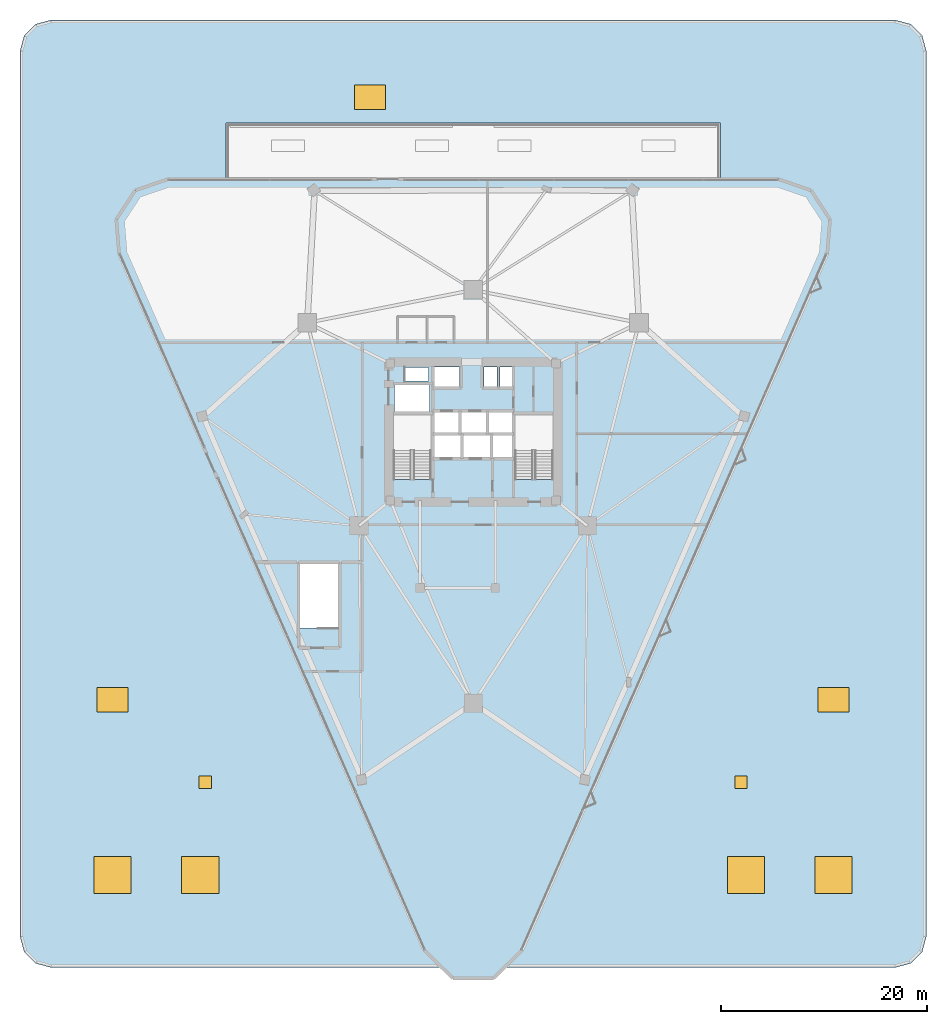
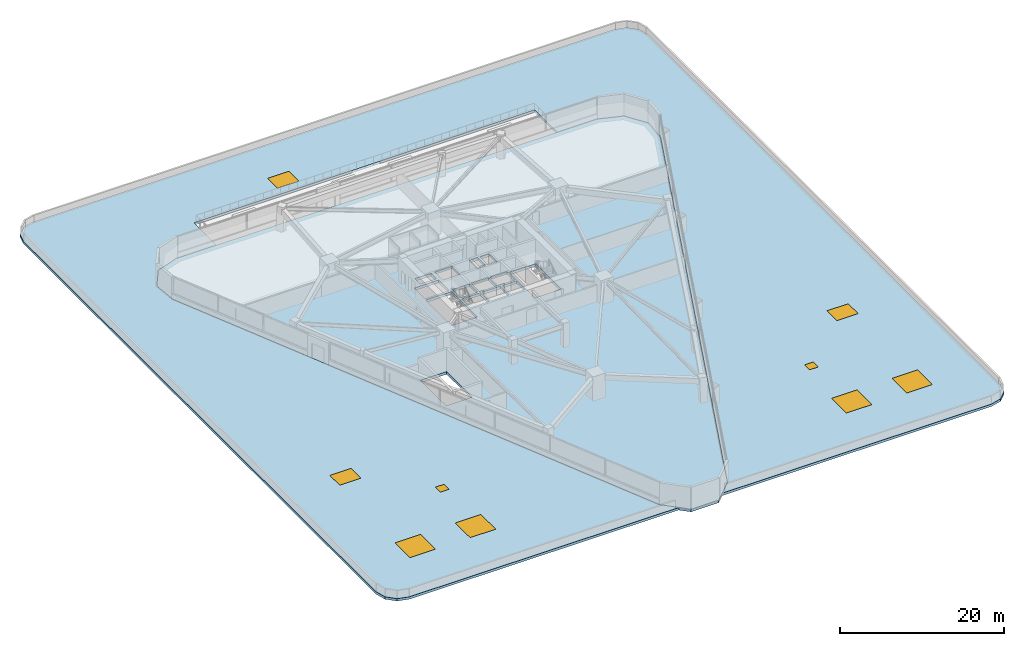
# One storey, part 13 of 21: 9 windows, 2 slabs, 9 openings.
"""IFC4 building model written with IfcOpenShell, lengths in metres."""

from ifc_helpers import new_model, si_unit, direction, frame, origin, origin_2d, place, context, subcontext, project, spatial, polyline, rectangle, outline, extrude, material, layer, layer_set, type_object, element, fill, save


model = new_model("IFC4")

# Units and contexts
model_context = context("Model", 3, precision=1e-05, world=origin(), true_north=direction((0.0, 1.0)))
body_context = subcontext(model_context, "Body", "Model", "MODEL_VIEW")
ifc_project = project(units=[si_unit("LENGTHUNIT", "METRE"), si_unit("AREAUNIT", "SQUARE_METRE"), si_unit("VOLUMEUNIT", "CUBIC_METRE"), si_unit("PLANEANGLEUNIT", "RADIAN"), si_unit("MASSUNIT", "GRAM", prefix="KILO")], contexts=[model_context])

# Site, building, storey
site_placement = place(None, origin())
site = spatial("IfcSite", under=ifc_project, at=site_placement, CompositionType="ELEMENT")
building_placement = place(site_placement, origin())
building = spatial("IfcBuilding", under=site, at=building_placement, Name="Talyreon Biosciences Tower", CompositionType="ELEMENT")
storey_placement = place(building_placement, frame((0.0, 0.0, 22.800048828125)))
storey = spatial("IfcBuildingStorey", under=building, at=storey_placement, Name="L05", CompositionType="ELEMENT", Elevation=22.800048828125)

# Slab, openings, windows
ifc_material_1 = material(Name="Concrete C40/50", Category="concrete")
ifc_layer_1 = layer(ifc_material_1, 0.360107421875)
ifc_layer_set_1 = layer_set([ifc_layer_1], Name="Concrete C40/50")
slab_type_1 = type_object("IfcSlabType", Name="PodiumGardenRoof_360", PredefinedType="ROOF", material=ifc_layer_set_1)
slab_1_placement = place(storey_placement, frame((0.0, 0.0, -0.360107421875)))
slab_1 = element("IfcSlab", 1, at=slab_1_placement, inside=storey, type_object=slab_type_1, Name="L05 Podium Weatherproof Skylight Roof Slab", PredefinedType="ROOF", context=body_context, shape_type="SweptSolid", body=[
    extrude(outline(polyline([(69.027099609375, 16.0), (70.7626953125, 17.689453125), (100.37451171875, 85.267333984375), (100.652099609375, 88.632080078125), (98.804931640625, 91.458251953125), (95.611572265625, 92.55419921875), (90.001953125, 92.55419921875), (90.001953125, 98.0), (90.001953125, 98.000244140625), (90.001953125, 98.00048828125), (90.001953125, 98.00048828125), (90.001708984375, 98.000732421875), (90.001708984375, 98.0009765625), (90.001708984375, 98.001220703125), (90.00146484375, 98.001220703125), (90.00146484375, 98.00146484375), (90.001220703125, 98.00146484375), (90.001220703125, 98.001708984375), (90.0009765625, 98.001708984375), (90.000732421875, 98.001708984375), (90.00048828125, 98.001953125), (90.00048828125, 98.001953125), (90.000244140625, 98.001953125), (90.0, 98.001953125), (42.0, 98.001953125), (41.999755859375, 98.001953125), (41.99951171875, 98.001953125), (41.99951171875, 98.001953125), (41.999267578125, 98.001708984375), (41.9990234375, 98.001708984375), (41.998779296875, 98.001708984375), (41.998779296875, 98.00146484375), (41.99853515625, 98.00146484375), (41.99853515625, 98.001220703125), (41.998291015625, 98.001220703125), (41.998291015625, 98.0009765625), (41.998291015625, 98.000732421875), (41.998046875, 98.00048828125), (41.998046875, 98.00048828125), (41.998046875, 98.000244140625), (41.998046875, 98.0), (41.998046875, 92.55419921875), (36.388427734375, 92.55419921875), (33.195068359375, 91.458251953125), (31.347900390625, 88.632080078125), (31.62548828125, 85.267333984375), (61.2373046875, 17.689453125), (62.972900390625, 16.0), (25.0, 16.0), (23.5, 16.40185546875), (22.40185546875, 17.5), (22.0, 19.0), (22.0, 105.0), (22.40185546875, 106.5), (23.5, 107.59814453125), (25.0, 108.0), (107.0, 108.0), (108.5, 107.59814453125), (109.59814453125, 106.5), (110.0, 105.0), (110.0, 19.0), (109.59814453125, 17.5), (108.5, 16.40185546875), (107.0, 16.0), (69.027099609375, 16.0)])), origin(), (0.0, 0.0, 1.0), 0.360107421875),
])
opening_1_placement = place(slab_1_placement, frame((31.0, 25.0, 0.0)))
opening_1 = element("IfcOpeningElement", 2, at=opening_1_placement, cuts=slab_1, Name="Opening SK1", PredefinedType="OPENING", context=body_context, shape_type="SweptSolid", body=[
    extrude(rectangle(XDim=3.60009765625, YDim=3.60009765625, at=origin_2d()), origin(), (0.0, 0.0, 1.0), 0.360107421875),
])
opening_2_placement = place(slab_1_placement, frame((39.5, 25.0, 0.0)))
opening_2 = element("IfcOpeningElement", 3, at=opening_2_placement, cuts=slab_1, Name="Opening SK1", PredefinedType="OPENING", context=body_context, shape_type="SweptSolid", body=[
    extrude(rectangle(XDim=3.60009765625, YDim=3.60009765625, at=origin_2d()), origin(), (0.0, 0.0, 1.0), 0.360107421875),
])
opening_3_placement = place(slab_1_placement, frame((92.5, 25.0, 0.0)))
opening_3 = element("IfcOpeningElement", 4, at=opening_3_placement, cuts=slab_1, Name="Opening SK1", PredefinedType="OPENING", context=body_context, shape_type="SweptSolid", body=[
    extrude(rectangle(XDim=3.60009765625, YDim=3.60009765625, at=origin_2d()), origin(), (0.0, 0.0, 1.0), 0.360107421875),
])
opening_4_placement = place(slab_1_placement, frame((101.0, 25.0, 0.0)))
opening_4 = element("IfcOpeningElement", 5, at=opening_4_placement, cuts=slab_1, Name="Opening SK1", PredefinedType="OPENING", context=body_context, shape_type="SweptSolid", body=[
    extrude(rectangle(XDim=3.60009765625, YDim=3.60009765625, at=origin_2d()), origin(), (0.0, 0.0, 1.0), 0.360107421875),
])
opening_5_placement = place(slab_1_placement, frame((31.0, 42.0, 0.0)))
opening_5 = element("IfcOpeningElement", 6, at=opening_5_placement, cuts=slab_1, Name="Opening SK2", PredefinedType="OPENING", context=body_context, shape_type="SweptSolid", body=[
    extrude(rectangle(XDim=3.0, YDim=2.39990234375, at=origin_2d()), origin(), (0.0, 0.0, 1.0), 0.360107421875),
])
opening_6_placement = place(slab_1_placement, frame((101.0, 42.0, 0.0)))
opening_6 = element("IfcOpeningElement", 7, at=opening_6_placement, cuts=slab_1, Name="Opening SK2", PredefinedType="OPENING", context=body_context, shape_type="SweptSolid", body=[
    extrude(rectangle(XDim=3.0, YDim=2.39990234375, at=origin_2d()), origin(), (0.0, 0.0, 1.0), 0.360107421875),
])
opening_7_placement = place(slab_1_placement, frame((56.0, 100.5, 0.0)))
opening_7 = element("IfcOpeningElement", 8, at=opening_7_placement, cuts=slab_1, Name="Opening SK2", PredefinedType="OPENING", context=body_context, shape_type="SweptSolid", body=[
    extrude(rectangle(XDim=3.0, YDim=2.39990234375, at=origin_2d()), origin(), (0.0, 0.0, 1.0), 0.360107421875),
])
opening_8_placement = place(slab_1_placement, frame((40.0, 34.0, 0.0)))
opening_8 = element("IfcOpeningElement", 9, at=opening_8_placement, cuts=slab_1, Name="Opening RH1", PredefinedType="OPENING", context=body_context, shape_type="SweptSolid", body=[
    extrude(rectangle(XDim=1.199951171875, YDim=1.199951171875, at=origin_2d()), origin(), (0.0, 0.0, 1.0), 0.360107421875),
])
opening_9_placement = place(slab_1_placement, frame((92.0, 34.0, 0.0)))
opening_9 = element("IfcOpeningElement", 10, at=opening_9_placement, cuts=slab_1, Name="Opening RH1", PredefinedType="OPENING", context=body_context, shape_type="SweptSolid", body=[
    extrude(rectangle(XDim=1.199951171875, YDim=1.199951171875, at=origin_2d()), origin(), (0.0, 0.0, 1.0), 0.360107421875),
])
ifc_material_2 = material(Name="Thermally broken triple low-E aluminium window", Category="aluminium")
window_type_1 = type_object("IfcWindowType", Name="CrownMaintenanceRoofHatch_1200x1200", PartitioningType="SINGLE_PANEL", PredefinedType="LIGHTDOME", material=ifc_material_2)
window_1_placement = place(opening_8_placement, frame((0.0, 0.0, 0.31005859375)))
window_1 = element("IfcWindow", 11, at=window_1_placement, inside=storey, type_object=window_type_1, Name="L05 Podium Roof Skylight RH1-01", OverallHeight=1.199951171875, OverallWidth=1.199951171875, PartitioningType="SINGLE_PANEL", PredefinedType="LIGHTDOME", context=body_context, shape_type="SweptSolid", body=[
    extrude(rectangle(XDim=1.199951171875, YDim=1.199951171875, at=origin_2d()), origin(), (0.0, 0.0, 1.0), 0.050048828125),
])
fill(opening_8, window_1)
window_2_placement = place(opening_9_placement, frame((0.0, 0.0, 0.31005859375)))
window_2 = element("IfcWindow", 12, at=window_2_placement, inside=storey, type_object=window_type_1, Name="L05 Podium Roof Skylight RH1-02", OverallHeight=1.199951171875, OverallWidth=1.199951171875, PartitioningType="SINGLE_PANEL", PredefinedType="LIGHTDOME", context=body_context, shape_type="SweptSolid", body=[
    extrude(rectangle(XDim=1.199951171875, YDim=1.199951171875, at=origin_2d()), origin(), (0.0, 0.0, 1.0), 0.050048828125),
])
fill(opening_9, window_2)
window_type_2 = type_object("IfcWindowType", Name="PodiumGallerySkylight_3600x3600", PartitioningType="SINGLE_PANEL", PredefinedType="SKYLIGHT", material=ifc_material_2)
window_3_placement = place(opening_1_placement, frame((0.0, 0.0, 0.31005859375)))
window_3 = element("IfcWindow", 13, at=window_3_placement, inside=storey, type_object=window_type_2, Name="L05 Podium Roof Skylight SK1-01", OverallHeight=3.60009765625, OverallWidth=3.60009765625, PartitioningType="SINGLE_PANEL", PredefinedType="SKYLIGHT", context=body_context, shape_type="SweptSolid", body=[
    extrude(rectangle(XDim=3.60009765625, YDim=3.60009765625, at=origin_2d()), origin(), (0.0, 0.0, 1.0), 0.050048828125),
])
fill(opening_1, window_3)
window_4_placement = place(opening_2_placement, frame((0.0, 0.0, 0.31005859375)))
window_4 = element("IfcWindow", 14, at=window_4_placement, inside=storey, type_object=window_type_2, Name="L05 Podium Roof Skylight SK1-02", OverallHeight=3.60009765625, OverallWidth=3.60009765625, PartitioningType="SINGLE_PANEL", PredefinedType="SKYLIGHT", context=body_context, shape_type="SweptSolid", body=[
    extrude(rectangle(XDim=3.60009765625, YDim=3.60009765625, at=origin_2d()), origin(), (0.0, 0.0, 1.0), 0.050048828125),
])
fill(opening_2, window_4)
window_5_placement = place(opening_3_placement, frame((0.0, 0.0, 0.31005859375)))
window_5 = element("IfcWindow", 15, at=window_5_placement, inside=storey, type_object=window_type_2, Name="L05 Podium Roof Skylight SK1-03", OverallHeight=3.60009765625, OverallWidth=3.60009765625, PartitioningType="SINGLE_PANEL", PredefinedType="SKYLIGHT", context=body_context, shape_type="SweptSolid", body=[
    extrude(rectangle(XDim=3.60009765625, YDim=3.60009765625, at=origin_2d()), origin(), (0.0, 0.0, 1.0), 0.050048828125),
])
fill(opening_3, window_5)
window_6_placement = place(opening_4_placement, frame((0.0, 0.0, 0.31005859375)))
window_6 = element("IfcWindow", 16, at=window_6_placement, inside=storey, type_object=window_type_2, Name="L05 Podium Roof Skylight SK1-04", OverallHeight=3.60009765625, OverallWidth=3.60009765625, PartitioningType="SINGLE_PANEL", PredefinedType="SKYLIGHT", context=body_context, shape_type="SweptSolid", body=[
    extrude(rectangle(XDim=3.60009765625, YDim=3.60009765625, at=origin_2d()), origin(), (0.0, 0.0, 1.0), 0.050048828125),
])
fill(opening_4, window_6)
window_type_3 = type_object("IfcWindowType", Name="PodiumLibrarySkylight_3000x2400", PartitioningType="SINGLE_PANEL", PredefinedType="SKYLIGHT", material=ifc_material_2)
window_7_placement = place(opening_5_placement, frame((0.0, 0.0, 0.31005859375)))
window_7 = element("IfcWindow", 17, at=window_7_placement, inside=storey, type_object=window_type_3, Name="L05 Podium Roof Skylight SK2-01", OverallHeight=2.39990234375, OverallWidth=3.0, PartitioningType="SINGLE_PANEL", PredefinedType="SKYLIGHT", context=body_context, shape_type="SweptSolid", body=[
    extrude(rectangle(XDim=3.0, YDim=2.39990234375, at=origin_2d()), origin(), (0.0, 0.0, 1.0), 0.050048828125),
])
fill(opening_5, window_7)
window_8_placement = place(opening_6_placement, frame((0.0, 0.0, 0.31005859375)))
window_8 = element("IfcWindow", 18, at=window_8_placement, inside=storey, type_object=window_type_3, Name="L05 Podium Roof Skylight SK2-02", OverallHeight=2.39990234375, OverallWidth=3.0, PartitioningType="SINGLE_PANEL", PredefinedType="SKYLIGHT", context=body_context, shape_type="SweptSolid", body=[
    extrude(rectangle(XDim=3.0, YDim=2.39990234375, at=origin_2d()), origin(), (0.0, 0.0, 1.0), 0.050048828125),
])
fill(opening_6, window_8)
window_9_placement = place(opening_7_placement, frame((0.0, 0.0, 0.31005859375)))
window_9 = element("IfcWindow", 19, at=window_9_placement, inside=storey, type_object=window_type_3, Name="L05 Podium Roof Skylight SK2-03", OverallHeight=2.39990234375, OverallWidth=3.0, PartitioningType="SINGLE_PANEL", PredefinedType="SKYLIGHT", context=body_context, shape_type="SweptSolid", body=[
    extrude(rectangle(XDim=3.0, YDim=2.39990234375, at=origin_2d()), origin(), (0.0, 0.0, 1.0), 0.050048828125),
])
fill(opening_7, window_9)

# Slab
ifc_material_3 = material(Name="Concrete C50/60", Category="concrete")
ifc_layer_2 = layer(ifc_material_3, 0.39990234375)
ifc_layer_set_2 = layer_set([ifc_layer_2], Name="Concrete C50/60")
slab_type_2 = type_object("IfcSlabType", Name="TransferDeckSlab_400", PredefinedType="FLOOR", material=ifc_layer_set_2)
slab_2_placement = place(storey_placement, frame((0.0, 0.0, -0.400146484375)))
element("IfcSlab", 20, at=slab_2_placement, inside=storey, type_object=slab_type_2, Name="L05 Structural Floor Slab", PredefinedType="FLOOR", context=body_context, shape_type="SweptSolid", body=[
    extrude(outline(polyline([(61.2373046875, 17.689453125), (31.62548828125, 85.267333984375), (31.347900390625, 88.632080078125), (33.195068359375, 91.458251953125), (36.388427734375, 92.55419921875), (95.611572265625, 92.55419921875), (98.804931640625, 91.458251953125), (100.652099609375, 88.632080078125), (100.37451171875, 85.267333984375), (70.7626953125, 17.689453125), (67.95751953125, 14.958984375), (64.04248046875, 14.958984375), (61.2373046875, 17.689453125)]), holes=[polyline([(52.8798828125, 55.199951171875), (52.8798828125, 48.9580078125), (49.199951171875, 48.9580078125), (49.199951171875, 55.199951171875), (52.8798828125, 55.199951171875)]), polyline([(61.929931640625, 63.407958984375), (58.25, 63.407958984375), (58.25, 69.64990234375), (61.929931640625, 69.64990234375), (61.929931640625, 63.407958984375)]), polyline([(64.800048828125, 65.550048828125), (62.199951171875, 65.550048828125), (62.199951171875, 67.64990234375), (64.800048828125, 67.64990234375), (64.800048828125, 65.550048828125)]), polyline([(64.60009765625, 67.949951171875), (62.199951171875, 67.949951171875), (62.199951171875, 69.949951171875), (64.60009765625, 69.949951171875), (64.60009765625, 67.949951171875)]), polyline([(61.75, 69.97998046875), (58.35009765625, 69.97998046875), (58.35009765625, 72.550048828125), (61.75, 72.550048828125), (61.75, 69.97998046875)]), polyline([(64.64990234375, 72.35009765625), (62.199951171875, 72.35009765625), (62.199951171875, 74.300048828125), (64.64990234375, 74.300048828125), (64.64990234375, 72.35009765625)]), polyline([(61.64990234375, 72.9599609375), (59.39990234375, 72.9599609375), (59.39990234375, 74.25), (61.64990234375, 74.25), (61.64990234375, 72.9599609375)]), polyline([(73.75, 69.64990234375), (73.75, 63.407958984375), (70.070068359375, 63.407958984375), (70.070068359375, 69.64990234375), (73.75, 69.64990234375)]), polyline([(67.64990234375, 65.550048828125), (65.050048828125, 65.550048828125), (65.050048828125, 67.64990234375), (67.64990234375, 67.64990234375), (67.64990234375, 65.550048828125)]), polyline([(69.89990234375, 65.550048828125), (67.89990234375, 65.550048828125), (67.89990234375, 67.64990234375), (69.89990234375, 67.64990234375), (69.89990234375, 65.550048828125)]), polyline([(67.25, 67.949951171875), (64.85009765625, 67.949951171875), (64.85009765625, 69.949951171875), (67.25, 69.949951171875), (67.25, 67.949951171875)]), polyline([(69.89990234375, 67.949951171875), (67.5, 67.949951171875), (67.5, 69.949951171875), (69.89990234375, 69.949951171875), (69.89990234375, 67.949951171875)]), polyline([(68.300048828125, 72.35009765625), (67.050048828125, 72.35009765625), (67.050048828125, 74.300048828125), (68.300048828125, 74.300048828125), (68.300048828125, 72.35009765625)]), polyline([(69.919921875, 72.35009765625), (68.6201171875, 72.35009765625), (68.6201171875, 74.300048828125), (69.919921875, 74.300048828125), (69.919921875, 72.35009765625)])]), origin(), (0.0, 0.0, 1.0), 0.400146484375),
])

save(model, "model.ifc")
